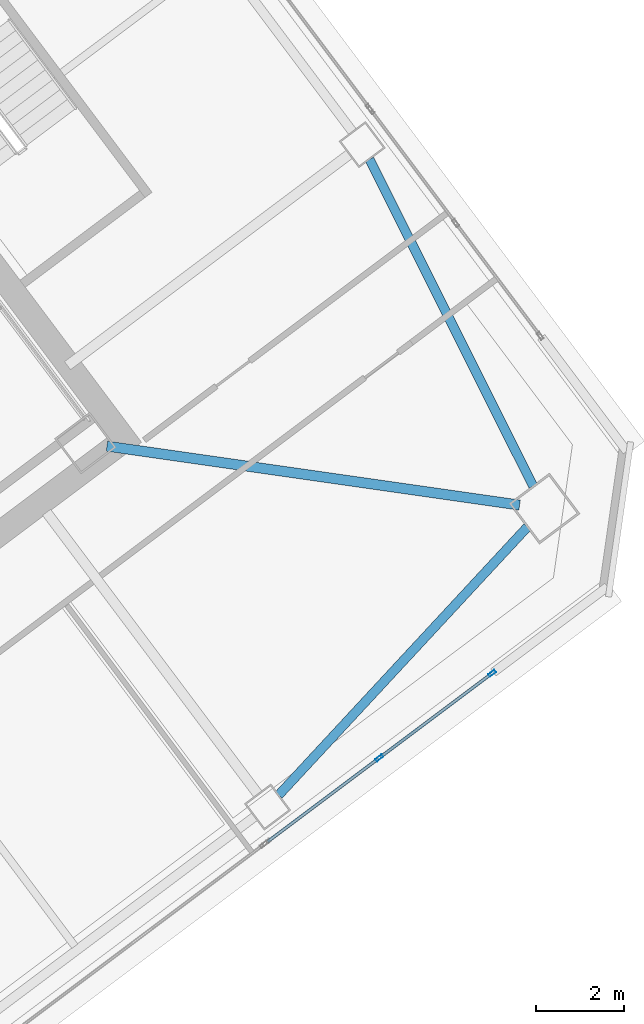
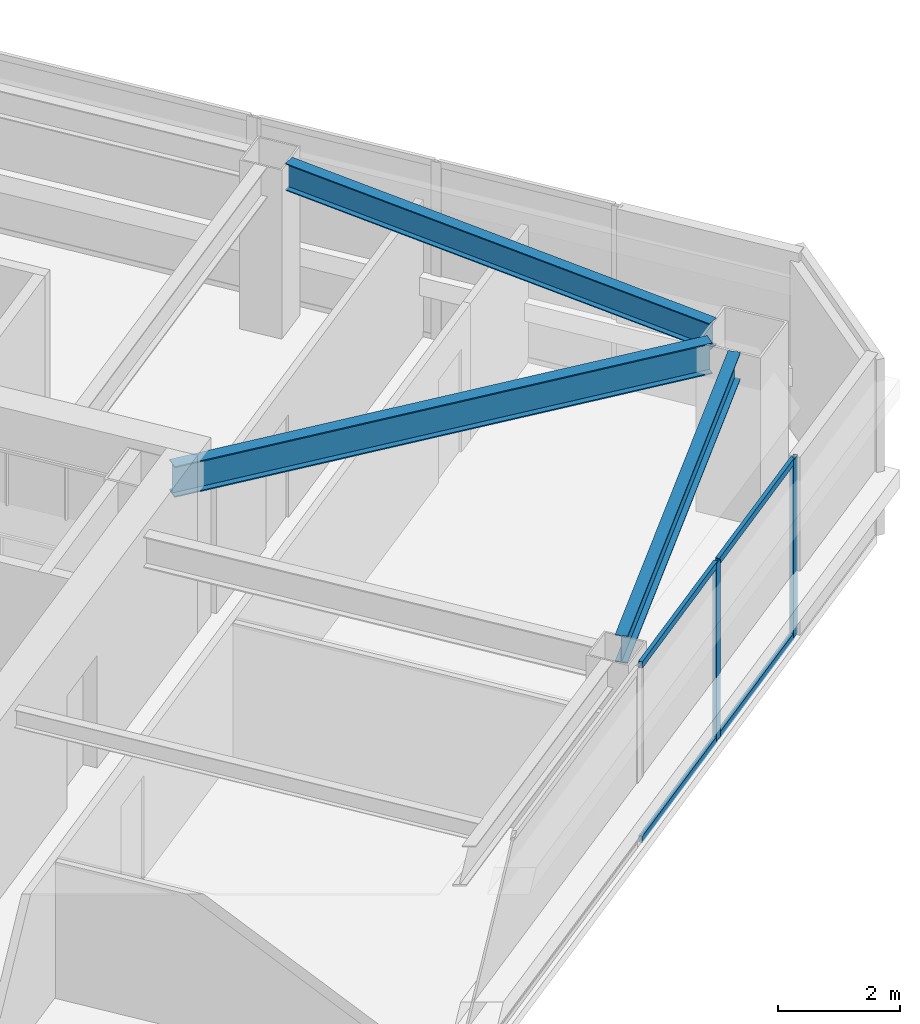
# One storey, part 25 of 43: 6 members, 3 beams, 1 element without a shape of its own.
"""IFC4 building model written with IfcOpenShell, lengths in metres."""

import ifcopenshell
import ifcopenshell.guid

model = None  # the IFC model being written
_history = None  # IfcOwnerHistory: only IFC2X3 demands one
_inside = {}  # id of a spatial element -> (the spatial element, [elements in it])
_under = {}  # id of a project, library or spatial element -> (it, [spatial elements below it])
_declared = {}  # id of a project -> (the project, [libraries it declares])
_typed = {}  # id of a type object -> (the type object, [elements of that type])
_made_of = {}  # id of a material, layer set ... -> (it, [elements and type objects made of it])


def new_model(schema):
    """Start an empty IFC model of exactly this schema.

    Asked for "IFC4X3", IfcOpenShell would pick the latest addendum, in which some entities
    have other attributes; the version numbers below select the first issue.
    IFC2X3 requires an IfcOwnerHistory on every rooted entity: one is made here for all.
    """
    global model, _history
    if schema == "IFC4X3":
        model = ifcopenshell.file(schema_version=(4, 3, 0, 0))
    else:
        model = ifcopenshell.file(schema=schema)
    _inside.clear()
    _under.clear()
    _declared.clear()
    _typed.clear()
    _made_of.clear()
    _history = None
    if model.schema == "IFC2X3":
        org = make("IfcOrganization", Name="unknown")
        user = make(
            "IfcPersonAndOrganization",
            ThePerson=make("IfcPerson", FamilyName="unknown"),
            TheOrganization=org,
        )
        app = make(
            "IfcApplication",
            ApplicationDeveloper=org,
            Version="unknown",
            ApplicationFullName="unknown",
            ApplicationIdentifier="unknown",
        )
        _history = make(
            "IfcOwnerHistory",
            OwningUser=user,
            OwningApplication=app,
            ChangeAction="ADDED",
            CreationDate=0,
        )
    return model


def make(cls, **values):
    """One entity of the class cls with the attributes given. An attribute that is None is left unset."""
    return model.create_entity(
        cls, **{name: value for name, value in values.items() if value is not None}
    )


def rooted(cls, **values):
    """An entity with a GlobalId (a new one), such as an element, a storey or a relation."""
    return make(cls, GlobalId=ifcopenshell.guid.new(), OwnerHistory=_history, **values)


def si_unit(unit_type, name, prefix=None):
    """IfcSIUnit, for example si_unit("LENGTHUNIT", "METRE", prefix="MILLI")."""
    return make("IfcSIUnit", UnitType=unit_type, Prefix=prefix, Name=name)


def assignment(units):
    """IfcUnitAssignment: the units of a project."""
    return None if units is None else make("IfcUnitAssignment", Units=units)


def point(xyz):
    """IfcCartesianPoint."""
    return None if xyz is None else make("IfcCartesianPoint", Coordinates=xyz)


def direction(xyz):
    """IfcDirection."""
    return None if xyz is None else make("IfcDirection", DirectionRatios=xyz)


def frame(location, z_axis=None, x_axis=None):
    """IfcAxis2Placement3D, a coordinate frame: its origin and axes. An axis left out is left unset."""
    return make(
        "IfcAxis2Placement3D",
        Location=point(location),
        Axis=direction(z_axis),
        RefDirection=direction(x_axis),
    )


def frame_2d(location, x_axis=None):
    """IfcAxis2Placement2D, a coordinate frame in the plane: its origin and x axis."""
    return make(
        "IfcAxis2Placement2D", Location=point(location), RefDirection=direction(x_axis)
    )


def origin():
    """The frame at (0, 0, 0) with its axes left unset."""
    return frame((0.0, 0.0, 0.0))


def origin_2d():
    """The frame at (0, 0) in the plane with its x axis left unset."""
    return frame_2d((0.0, 0.0))


def place(relative_to, where):
    """IfcLocalPlacement: puts the frame where relative to a parent placement (None: the world)."""
    return make(
        "IfcLocalPlacement", PlacementRelTo=relative_to, RelativePlacement=where
    )


def context(
    kind, dimensions, precision=None, world=None, true_north=None, identifier=None
):
    """IfcGeometricRepresentationContext, for example the 3D "Model" context."""
    return make(
        "IfcGeometricRepresentationContext",
        ContextIdentifier=identifier,
        ContextType=kind,
        CoordinateSpaceDimension=dimensions,
        Precision=precision,
        WorldCoordinateSystem=world,
        TrueNorth=true_north,
    )


def subcontext(parent, identifier, kind, view, scale=None):
    """IfcGeometricRepresentationSubContext, for example "Body" below "Model"."""
    return make(
        "IfcGeometricRepresentationSubContext",
        ContextIdentifier=identifier,
        ContextType=kind,
        ParentContext=parent,
        TargetScale=scale,
        TargetView=view,
    )


def project(units=None, contexts=None):
    """IfcProject with its units and contexts."""
    return rooted(
        "IfcProject",
        Name="project",
        RepresentationContexts=contexts,
        UnitsInContext=assignment(units),
    )


def spatial(cls, under=None, at=None, **own):
    """A site, building, storey or space (cls), placed at a placement, below another one or the project."""
    s = rooted(cls, ObjectPlacement=at, **own)
    if under is not None:
        _under.setdefault(under.id(), (under, []))[1].append(s)
    return s


def profile(cls, at=None, kind="AREA", **sizes):
    """A parametric profile (cls). Its sizes go by their IFC names, for example OverallWidth=200.0."""
    return make(cls, ProfileType=kind, Position=at, **sizes)


def hollow_rectangle(**sizes):
    """IfcRectangleHollowProfileDef."""
    return profile("IfcRectangleHollowProfileDef", **sizes)


def i_section(**sizes):
    """IfcIShapeProfileDef."""
    return profile("IfcIShapeProfileDef", **sizes)


def extrude(swept, where, along, depth):
    """IfcExtrudedAreaSolid: the profile swept, set in the frame where, extruded along a direction by depth."""
    return make(
        "IfcExtrudedAreaSolid",
        SweptArea=swept,
        Position=where,
        ExtrudedDirection=direction(along),
        Depth=depth,
    )


def shape(context_of_items, identifier, shape_type, items):
    """IfcShapeRepresentation: the items that make up one representation, for example the "Body"."""
    return make(
        "IfcShapeRepresentation",
        ContextOfItems=context_of_items,
        RepresentationIdentifier=identifier,
        RepresentationType=shape_type,
        Items=items,
    )


def material(Name=None, Category=None):
    """IfcMaterial."""
    return make("IfcMaterial", Name=Name, Category=Category)


def material_profile(
    of_material, cross_section, Name=None, Category=None, Priority=None
):
    """IfcMaterialProfile: a cross section and its material."""
    return make(
        "IfcMaterialProfile",
        Name=Name,
        Material=of_material,
        Profile=cross_section,
        Priority=Priority,
        Category=Category,
    )


def profile_set(profiles, Name=None, composite=None):
    """IfcMaterialProfileSet."""
    return make(
        "IfcMaterialProfileSet",
        Name=Name,
        MaterialProfiles=profiles,
        CompositeProfile=composite,
    )


def made_of(thing, what):
    """Note that an element or type object is made of a material, layer set ...; save() writes the relation."""
    if what is not None:
        _made_of.setdefault(what.id(), (what, []))[1].append(thing)
    return thing


def type_object(cls, material=None, **own):
    """A type object (cls), such as IfcWallType, which elements share."""
    return made_of(rooted(cls, **own), material)


def element(
    cls,
    number,
    at=None,
    inside=None,
    cuts=None,
    type_object=None,
    material=None,
    context=None,
    identifier="Body",
    shape_type=None,
    held_by="IfcProductDefinitionShape",
    body=None,
    shapes=None,
    **own,
):
    """One element of the class cls, such as IfcWall. Its Tag is "e" and its number.

    at: its placement. inside: the storey or other place that contains it. cuts: it is an
    opening in that element (IfcRelVoidsElement). A single representation is given by context,
    identifier, shape_type and body (its items); several are given by shapes. held_by: the class
    of the entity that holds the representations. save() writes the other relations.
    """
    e = rooted(cls, Tag="e%d" % number, ObjectPlacement=at, **own)
    if body is not None:
        shapes = [shape(context, identifier, shape_type, body)]
    if shapes is not None:
        e.Representation = make(held_by, Representations=shapes)
    if inside is not None:
        _inside.setdefault(inside.id(), (inside, []))[1].append(e)
    if cuts is not None:
        rooted(
            "IfcRelVoidsElement", RelatingBuildingElement=cuts, RelatedOpeningElement=e
        )
    if type_object is not None:
        _typed.setdefault(type_object.id(), (type_object, []))[1].append(e)
    return made_of(e, material)


def aggregate(whole, parts):
    """IfcRelAggregates: a whole, such as a stair, and the parts it consists of."""
    return rooted("IfcRelAggregates", RelatingObject=whole, RelatedObjects=parts)


def save(model, path):
    """Write the relations noted so far, then the file.

    IfcRelAggregates (storeys below a building ...), IfcRelContainedInSpatialStructure (elements
    in a storey), IfcRelDefinesByType, IfcRelAssociatesMaterial and IfcRelDeclares: one each for
    every whole, place, type object, material and project.
    """
    for whole, parts in _under.values():
        aggregate(whole, parts)
    for where, things in _inside.values():
        rooted(
            "IfcRelContainedInSpatialStructure",
            RelatedElements=things,
            RelatingStructure=where,
        )
    for kind, things in _typed.values():
        rooted("IfcRelDefinesByType", RelatedObjects=things, RelatingType=kind)
    for what, things in _made_of.values():
        rooted("IfcRelAssociatesMaterial", RelatedObjects=things, RelatingMaterial=what)
    for by, libraries in _declared.values():
        rooted("IfcRelDeclares", RelatingContext=by, RelatedDefinitions=libraries)
    model.write(path)


model = new_model("IFC4")

# Units and contexts
model_context = context("Model", 3, precision=1e-05, world=origin(), true_north=direction((0.0, 1.0)))
body_context = subcontext(model_context, "Body", "Model", "MODEL_VIEW")
ifc_project = project(units=[si_unit("LENGTHUNIT", "METRE"), si_unit("AREAUNIT", "SQUARE_METRE"), si_unit("VOLUMEUNIT", "CUBIC_METRE"), si_unit("PLANEANGLEUNIT", "RADIAN"), si_unit("MASSUNIT", "GRAM", prefix="KILO")], contexts=[model_context])

# Site, building, storey
site_placement = place(None, origin())
site = spatial("IfcSite", under=ifc_project, at=site_placement, CompositionType="ELEMENT")
building_placement = place(site_placement, origin())
building = spatial("IfcBuilding", under=site, at=building_placement, Name="Tashvorn Skyway Center", CompositionType="ELEMENT")
storey_placement = place(building_placement, frame((0.0, 0.0, 160.550048828125)))
storey = spatial("IfcBuildingStorey", under=building, at=storey_placement, Name="L43", CompositionType="ELEMENT", Elevation=160.550048828125)

# Beams
ifc_material_1 = material(Name="Steel ASTM A992 Grade 50", Category="steel")
ifc_material_profile_1 = material_profile(ifc_material_1, i_section(OverallWidth=0.22998046875, OverallDepth=0.616943359375, WebThickness=0.01318359375, FlangeThickness=0.022216796875, at=origin_2d()), Name="W24X94")
ifc_profile_set_1 = profile_set([ifc_material_profile_1], Name="Steel ASTM A992 Grade 50")
beam_type_1 = type_object("IfcBeamType", Name="BM-BEAM-W24X94", PredefinedType="BEAM", material=ifc_profile_set_1)
beam_placement = place(storey_placement, frame((133.73583984375, 29.1806640625, 3.0615234375), z_axis=(-0.989950009213, 0.141417747326, 0.0), x_axis=(-0.141417747326, -0.989950009213, 0.0)))
element("IfcBeam", 1, at=beam_placement, inside=storey, type_object=beam_type_1, Name="Tower 2 L43 Primary Floor Girder MC-SE", PredefinedType="BEAM", context=body_context, shape_type="SweptSolid", body=[
    extrude(i_section(OverallWidth=0.22998046875, OverallDepth=0.616943359375, WebThickness=0.01318359375, FlangeThickness=0.022216796875, at=origin_2d()), origin(), (0.0, 0.0, 1.0), 9.470947265625),
])
ifc_material_profile_2 = material_profile(ifc_material_1, i_section(OverallWidth=0.2109375, OverallDepth=0.5390625, WebThickness=0.01171875, FlangeThickness=0.018798828125, at=origin_2d()), Name="W21X73")
ifc_profile_set_2 = profile_set([ifc_material_profile_2], Name="Steel ASTM A992 Grade 50")
beam_type_2 = type_object("IfcBeamType", Name="BM-SPANDREL-W21X73", PredefinedType="SPANDREL", material=ifc_profile_set_2)
for number, where, z_axis, x_axis, name in (
    (2, (128.26171875, 22.59130859375, 3.100341796875), (0.680119661736, 0.733101115618, 0.0), (-0.733101115618, 0.680119661736, 0.0), "Tower 2 L43 Spandrel Beam 03"),
    (3, (134.044921875, 29.609619140625, 3.100341796875), (-0.447648438059, 0.894209637559, 0.0), (-0.894209637559, -0.447648438059, 0.0), "Tower 2 L43 Spandrel Beam 04"),
):
    element("IfcBeam", number, at=place(storey_placement, frame(where, z_axis=z_axis, x_axis=x_axis)), inside=storey, type_object=beam_type_2, Name=name, PredefinedType="SPANDREL", context=body_context, shape_type="SweptSolid", body=[
        extrude(i_section(OverallWidth=0.2109375, OverallDepth=0.5390625, WebThickness=0.01171875, FlangeThickness=0.018798828125, at=origin_2d()), origin(), (0.0, 0.0, 1.0), 8.308349609375),
    ])

# Curtain wall, members
ifc_material_2 = material(Name="Thermally broken bronze-anodized aluminium 6063-T6", Category="aluminium")
curtain_wall_type = type_object("IfcCurtainWallType", Name="CW-CW-Z4", PredefinedType="NOTDEFINED", material=ifc_material_2)
curtain_wall_placement = place(storey_placement, origin())
curtain_wall = element("IfcCurtainWall", 4, at=curtain_wall_placement, inside=storey, type_object=curtain_wall_type, Name="Tower 2 L43 South Unitised Curtain Wall Glazing Group 1", PredefinedType="NOTDEFINED")
ifc_material_profile_3 = material_profile(ifc_material_2, hollow_rectangle(XDim=0.070068359375, YDim=0.179931640625, WallThickness=0.00390625, at=origin_2d()), Name="ALU-MULL-70x180")
ifc_profile_set_3 = profile_set([ifc_material_profile_3], Name="Thermally broken bronze-anodized aluminium 6063-T6")
member_type_1 = type_object("IfcMemberType", Name="CWM-CW-Z4", PredefinedType="MULLION", material=ifc_profile_set_3)
member_1_placement = place(storey_placement, frame((133.112060546875, 25.35888671875, 0.0), z_axis=(0.0, 0.0, 1.0), x_axis=(0.600000000002, -0.799999999998, 0.0)))
member_1 = element("IfcMember", 5, at=member_1_placement, type_object=member_type_1, Name="CW-Z4 mullion 1", PredefinedType="MULLION", context=body_context, shape_type="SweptSolid", body=[
    extrude(hollow_rectangle(XDim=0.070068359375, YDim=0.179931640625, WallThickness=0.00390625, at=origin_2d()), origin(), (0.0, 0.0, 1.0), 3.550048828125),
])
member_2_placement = place(storey_placement, frame((130.548095703125, 23.43603515625, 0.0), z_axis=(0.0, 0.0, 1.0), x_axis=(0.600000000002, -0.799999999998, 0.0)))
member_2 = element("IfcMember", 6, at=member_2_placement, type_object=member_type_1, Name="CW-Z4 mullion 2", PredefinedType="MULLION", context=body_context, shape_type="SweptSolid", body=[
    extrude(hollow_rectangle(XDim=0.070068359375, YDim=0.179931640625, WallThickness=0.00390625, at=origin_2d()), origin(), (0.0, 0.0, 1.0), 3.550048828125),
])
ifc_material_profile_4 = material_profile(ifc_material_2, hollow_rectangle(XDim=0.070068359375, YDim=0.1298828125, WallThickness=0.00390625, at=origin_2d()), Name="ALU-TRAN-70x130")
ifc_profile_set_4 = profile_set([ifc_material_profile_4], Name="Thermally broken bronze-anodized aluminium 6063-T6")
member_type_2 = type_object("IfcMemberType", Name="CWT-CW-Z4", PredefinedType="USERDEFINED", material=ifc_profile_set_4)
member_3_placement = place(storey_placement, frame((133.083984375, 25.337890625, 0.034912109375), z_axis=(-0.800028034763, -0.599962618496, 0.0), x_axis=(0.599962618496, -0.800028034763, 0.0)))
member_3 = element("IfcMember", 7, at=member_3_placement, type_object=member_type_2, Name="CW-Z4 transom 1.1", ObjectType="TRANSOM", PredefinedType="USERDEFINED", context=body_context, shape_type="SweptSolid", body=[
    extrude(hollow_rectangle(XDim=0.070068359375, YDim=0.1298828125, WallThickness=0.00390625, at=origin_2d()), origin(), (0.0, 0.0, 1.0), 3.135009765625),
])
member_4_placement = place(storey_placement, frame((133.083984375, 25.337890625, 3.514892578125), z_axis=(-0.800028034763, -0.599962618496, 0.0), x_axis=(0.599962618496, -0.800028034763, 0.0)))
member_4 = element("IfcMember", 8, at=member_4_placement, type_object=member_type_2, Name="CW-Z4 transom 1.2", ObjectType="TRANSOM", PredefinedType="USERDEFINED", context=body_context, shape_type="SweptSolid", body=[
    extrude(hollow_rectangle(XDim=0.070068359375, YDim=0.1298828125, WallThickness=0.00390625, at=origin_2d()), origin(), (0.0, 0.0, 1.0), 3.135009765625),
])
member_5_placement = place(storey_placement, frame((130.52001953125, 23.4150390625, 0.034912109375), z_axis=(-0.799990655127, -0.600012459628, 0.0), x_axis=(0.600012459628, -0.799990655127, 0.0)))
member_5 = element("IfcMember", 9, at=member_5_placement, type_object=member_type_2, Name="CW-Z4 transom 2.1", ObjectType="TRANSOM", PredefinedType="USERDEFINED", context=body_context, shape_type="SweptSolid", body=[
    extrude(hollow_rectangle(XDim=0.070068359375, YDim=0.1298828125, WallThickness=0.00390625, at=origin_2d()), origin(), (0.0, 0.0, 1.0), 3.135009765625),
])
member_6_placement = place(storey_placement, frame((130.52001953125, 23.4150390625, 3.514892578125), z_axis=(-0.799990655127, -0.600012459628, 0.0), x_axis=(0.600012459628, -0.799990655127, 0.0)))
member_6 = element("IfcMember", 10, at=member_6_placement, type_object=member_type_2, Name="CW-Z4 transom 2.2", ObjectType="TRANSOM", PredefinedType="USERDEFINED", context=body_context, shape_type="SweptSolid", body=[
    extrude(hollow_rectangle(XDim=0.070068359375, YDim=0.1298828125, WallThickness=0.00390625, at=origin_2d()), origin(), (0.0, 0.0, 1.0), 3.135009765625),
])
aggregate(curtain_wall, [member_1, member_2, member_3, member_4, member_5, member_6])

save(model, "model.ifc")
